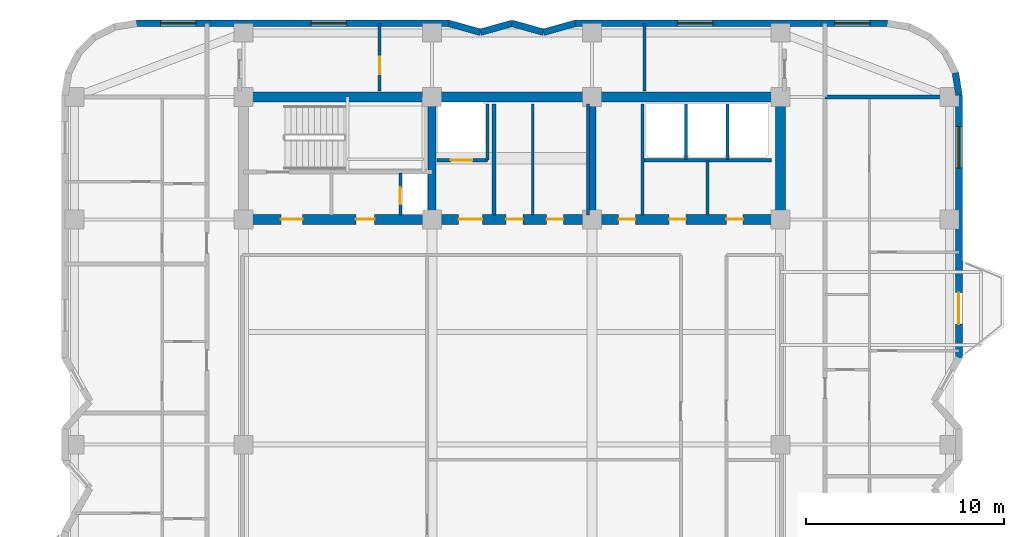
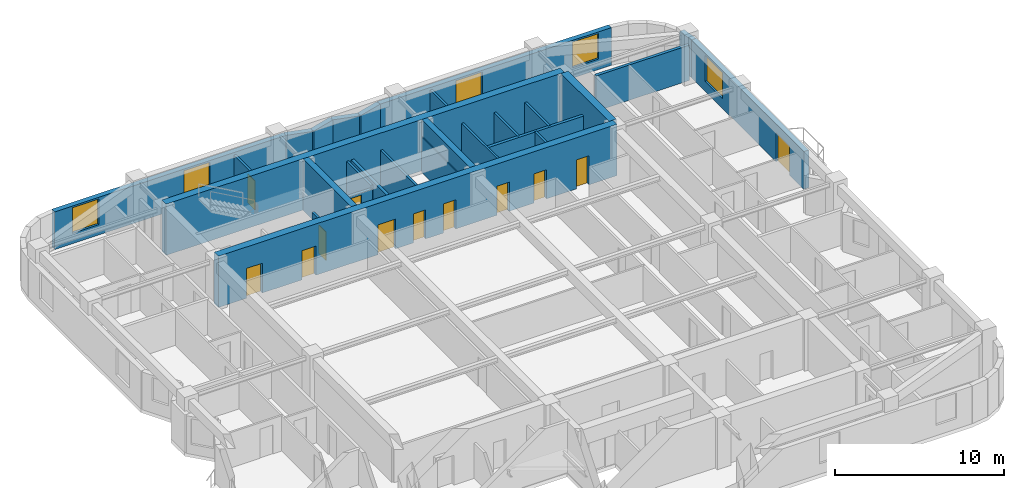
# One storey, part 6 of 9: 27 walls, 12 doors, 5 windows, 17 openings.
"""IFC4 building model written with IfcOpenShell, lengths in metres."""

import ifcopenshell
import ifcopenshell.guid

model = None  # the IFC model being written
_history = None  # IfcOwnerHistory: only IFC2X3 demands one
_inside = {}  # id of a spatial element -> (the spatial element, [elements in it])
_under = {}  # id of a project, library or spatial element -> (it, [spatial elements below it])
_declared = {}  # id of a project -> (the project, [libraries it declares])
_typed = {}  # id of a type object -> (the type object, [elements of that type])
_made_of = {}  # id of a material, layer set ... -> (it, [elements and type objects made of it])


def new_model(schema):
    """Start an empty IFC model of exactly this schema.

    Asked for "IFC4X3", IfcOpenShell would pick the latest addendum, in which some entities
    have other attributes; the version numbers below select the first issue.
    IFC2X3 requires an IfcOwnerHistory on every rooted entity: one is made here for all.
    """
    global model, _history
    if schema == "IFC4X3":
        model = ifcopenshell.file(schema_version=(4, 3, 0, 0))
    else:
        model = ifcopenshell.file(schema=schema)
    _inside.clear()
    _under.clear()
    _declared.clear()
    _typed.clear()
    _made_of.clear()
    _history = None
    if model.schema == "IFC2X3":
        org = make("IfcOrganization", Name="unknown")
        user = make(
            "IfcPersonAndOrganization",
            ThePerson=make("IfcPerson", FamilyName="unknown"),
            TheOrganization=org,
        )
        app = make(
            "IfcApplication",
            ApplicationDeveloper=org,
            Version="unknown",
            ApplicationFullName="unknown",
            ApplicationIdentifier="unknown",
        )
        _history = make(
            "IfcOwnerHistory",
            OwningUser=user,
            OwningApplication=app,
            ChangeAction="ADDED",
            CreationDate=0,
        )
    return model


def make(cls, **values):
    """One entity of the class cls with the attributes given. An attribute that is None is left unset."""
    return model.create_entity(
        cls, **{name: value for name, value in values.items() if value is not None}
    )


def rooted(cls, **values):
    """An entity with a GlobalId (a new one), such as an element, a storey or a relation."""
    return make(cls, GlobalId=ifcopenshell.guid.new(), OwnerHistory=_history, **values)


def si_unit(unit_type, name, prefix=None):
    """IfcSIUnit, for example si_unit("LENGTHUNIT", "METRE", prefix="MILLI")."""
    return make("IfcSIUnit", UnitType=unit_type, Prefix=prefix, Name=name)


def assignment(units):
    """IfcUnitAssignment: the units of a project."""
    return None if units is None else make("IfcUnitAssignment", Units=units)


def point(xyz):
    """IfcCartesianPoint."""
    return None if xyz is None else make("IfcCartesianPoint", Coordinates=xyz)


def direction(xyz):
    """IfcDirection."""
    return None if xyz is None else make("IfcDirection", DirectionRatios=xyz)


def frame(location, z_axis=None, x_axis=None):
    """IfcAxis2Placement3D, a coordinate frame: its origin and axes. An axis left out is left unset."""
    return make(
        "IfcAxis2Placement3D",
        Location=point(location),
        Axis=direction(z_axis),
        RefDirection=direction(x_axis),
    )


def frame_2d(location, x_axis=None):
    """IfcAxis2Placement2D, a coordinate frame in the plane: its origin and x axis."""
    return make(
        "IfcAxis2Placement2D", Location=point(location), RefDirection=direction(x_axis)
    )


def origin():
    """The frame at (0, 0, 0) with its axes left unset."""
    return frame((0.0, 0.0, 0.0))


def place(relative_to, where):
    """IfcLocalPlacement: puts the frame where relative to a parent placement (None: the world)."""
    return make(
        "IfcLocalPlacement", PlacementRelTo=relative_to, RelativePlacement=where
    )


def context(
    kind, dimensions, precision=None, world=None, true_north=None, identifier=None
):
    """IfcGeometricRepresentationContext, for example the 3D "Model" context."""
    return make(
        "IfcGeometricRepresentationContext",
        ContextIdentifier=identifier,
        ContextType=kind,
        CoordinateSpaceDimension=dimensions,
        Precision=precision,
        WorldCoordinateSystem=world,
        TrueNorth=true_north,
    )


def subcontext(parent, identifier, kind, view, scale=None):
    """IfcGeometricRepresentationSubContext, for example "Body" below "Model"."""
    return make(
        "IfcGeometricRepresentationSubContext",
        ContextIdentifier=identifier,
        ContextType=kind,
        ParentContext=parent,
        TargetScale=scale,
        TargetView=view,
    )


def project(units=None, contexts=None):
    """IfcProject with its units and contexts."""
    return rooted(
        "IfcProject",
        Name="project",
        RepresentationContexts=contexts,
        UnitsInContext=assignment(units),
    )


def spatial(cls, under=None, at=None, **own):
    """A site, building, storey or space (cls), placed at a placement, below another one or the project."""
    s = rooted(cls, ObjectPlacement=at, **own)
    if under is not None:
        _under.setdefault(under.id(), (under, []))[1].append(s)
    return s


def profile(cls, at=None, kind="AREA", **sizes):
    """A parametric profile (cls). Its sizes go by their IFC names, for example OverallWidth=200.0."""
    return make(cls, ProfileType=kind, Position=at, **sizes)


def rectangle(**sizes):
    """IfcRectangleProfileDef."""
    return profile("IfcRectangleProfileDef", **sizes)


def extrude(swept, where, along, depth):
    """IfcExtrudedAreaSolid: the profile swept, set in the frame where, extruded along a direction by depth."""
    return make(
        "IfcExtrudedAreaSolid",
        SweptArea=swept,
        Position=where,
        ExtrudedDirection=direction(along),
        Depth=depth,
    )


def shape(context_of_items, identifier, shape_type, items):
    """IfcShapeRepresentation: the items that make up one representation, for example the "Body"."""
    return make(
        "IfcShapeRepresentation",
        ContextOfItems=context_of_items,
        RepresentationIdentifier=identifier,
        RepresentationType=shape_type,
        Items=items,
    )


def material(Name=None, Category=None):
    """IfcMaterial."""
    return make("IfcMaterial", Name=Name, Category=Category)


def layer(
    of_material, thickness, ventilated=None, Name=None, Category=None, Priority=None
):
    """IfcMaterialLayer: one layer of a wall or slab, of a material (None: an air gap)."""
    return make(
        "IfcMaterialLayer",
        Material=of_material,
        LayerThickness=thickness,
        IsVentilated=ventilated,
        Name=Name,
        Category=Category,
        Priority=Priority,
    )


def layer_set(layers, Name=None):
    """IfcMaterialLayerSet."""
    return make("IfcMaterialLayerSet", MaterialLayers=layers, LayerSetName=Name)


def made_of(thing, what):
    """Note that an element or type object is made of a material, layer set ...; save() writes the relation."""
    if what is not None:
        _made_of.setdefault(what.id(), (what, []))[1].append(thing)
    return thing


def type_object(cls, material=None, **own):
    """A type object (cls), such as IfcWallType, which elements share."""
    return made_of(rooted(cls, **own), material)


def element(
    cls,
    number,
    at=None,
    inside=None,
    cuts=None,
    type_object=None,
    material=None,
    context=None,
    identifier="Body",
    shape_type=None,
    held_by="IfcProductDefinitionShape",
    body=None,
    shapes=None,
    **own,
):
    """One element of the class cls, such as IfcWall. Its Tag is "e" and its number.

    at: its placement. inside: the storey or other place that contains it. cuts: it is an
    opening in that element (IfcRelVoidsElement). A single representation is given by context,
    identifier, shape_type and body (its items); several are given by shapes. held_by: the class
    of the entity that holds the representations. save() writes the other relations.
    """
    e = rooted(cls, Tag="e%d" % number, ObjectPlacement=at, **own)
    if body is not None:
        shapes = [shape(context, identifier, shape_type, body)]
    if shapes is not None:
        e.Representation = make(held_by, Representations=shapes)
    if inside is not None:
        _inside.setdefault(inside.id(), (inside, []))[1].append(e)
    if cuts is not None:
        rooted(
            "IfcRelVoidsElement", RelatingBuildingElement=cuts, RelatedOpeningElement=e
        )
    if type_object is not None:
        _typed.setdefault(type_object.id(), (type_object, []))[1].append(e)
    return made_of(e, material)


def fill(opening, filler):
    """IfcRelFillsElement: the door or window that sits in an opening."""
    return rooted(
        "IfcRelFillsElement",
        RelatingOpeningElement=opening,
        RelatedBuildingElement=filler,
    )


def aggregate(whole, parts):
    """IfcRelAggregates: a whole, such as a stair, and the parts it consists of."""
    return rooted("IfcRelAggregates", RelatingObject=whole, RelatedObjects=parts)


def save(model, path):
    """Write the relations noted so far, then the file.

    IfcRelAggregates (storeys below a building ...), IfcRelContainedInSpatialStructure (elements
    in a storey), IfcRelDefinesByType, IfcRelAssociatesMaterial and IfcRelDeclares: one each for
    every whole, place, type object, material and project.
    """
    for whole, parts in _under.values():
        aggregate(whole, parts)
    for where, things in _inside.values():
        rooted(
            "IfcRelContainedInSpatialStructure",
            RelatedElements=things,
            RelatingStructure=where,
        )
    for kind, things in _typed.values():
        rooted("IfcRelDefinesByType", RelatedObjects=things, RelatingType=kind)
    for what, things in _made_of.values():
        rooted("IfcRelAssociatesMaterial", RelatedObjects=things, RelatingMaterial=what)
    for by, libraries in _declared.values():
        rooted("IfcRelDeclares", RelatingContext=by, RelatedDefinitions=libraries)
    model.write(path)


model = new_model("IFC4")

# Units and contexts
model_context = context("Model", 3, precision=1e-05, world=origin(), true_north=direction((0.0, 1.0)))
body_context = subcontext(model_context, "Body", "Model", "MODEL_VIEW")
ifc_project = project(units=[si_unit("LENGTHUNIT", "METRE"), si_unit("AREAUNIT", "SQUARE_METRE"), si_unit("VOLUMEUNIT", "CUBIC_METRE"), si_unit("PLANEANGLEUNIT", "RADIAN"), si_unit("MASSUNIT", "GRAM", prefix="KILO")], contexts=[model_context])

# Site, building, storey
site_placement = place(None, origin())
site = spatial("IfcSite", under=ifc_project, at=site_placement, CompositionType="ELEMENT")
building_placement = place(site_placement, origin())
building = spatial("IfcBuilding", under=site, at=building_placement, Name="Svetorya Sky Lyceum", CompositionType="ELEMENT")
storey_placement = place(building_placement, frame((0.0, 0.0, 170.0)))
storey = spatial("IfcBuildingStorey", under=building, at=storey_placement, Name="L42", CompositionType="ELEMENT", Elevation=170.0)

# Walls
ifc_material_1 = material(Name="Concrete C40/50", Category="concrete")
ifc_layer_1 = layer(ifc_material_1, 0.39990234375)
ifc_layer_set_1 = layer_set([ifc_layer_1], Name="Concrete C40/50")
wall_type_1 = type_object("IfcWallType", Name="WL-CORE-400", PredefinedType="SHEAR", material=ifc_layer_set_1)
for number, where, z_axis, x_axis, name in (
    (1, (35.14990234375, 39.85009765625, 0.0), (0.0, 0.0, 1.0), (0.0, 1.0, 0.0), "L42 NC Internal Shear Web WEB1"),
    (2, (43.25, 39.85009765625, 0.0), (0.0, 0.0, 1.0), (0.0, 1.0, 0.0), "L42 NC Internal Shear Web WEB2"),
):
    element("IfcWall", number, at=place(storey_placement, frame(where, z_axis=z_axis, x_axis=x_axis)), inside=storey, type_object=wall_type_1, Name=name, PredefinedType="SHEAR", context=body_context, shape_type="SweptSolid", body=[
        extrude(rectangle(XDim=5.699951171875, YDim=0.39990234375, at=frame_2d((2.85009765625, 0.0))), origin(), (0.0, 0.0, 1.0), 3.699951171875),
    ])
ifc_material_2 = material(Name="Concrete C50/60", Category="concrete")
ifc_layer_2 = layer(ifc_material_2, 0.5)
ifc_layer_set_2 = layer_set([ifc_layer_2], Name="Concrete C50/60")
wall_type_2 = type_object("IfcWallType", Name="WL-CORE-500", PredefinedType="SHEAR", material=ifc_layer_set_2)
wall_1_placement = place(storey_placement, frame((25.60009765625, 45.800048828125, 0.0), z_axis=(0.0, 0.0, 1.0), x_axis=(1.0, 0.0, 0.0)))
element("IfcWall", 3, at=wall_1_placement, inside=storey, type_object=wall_type_2, Name="L42 NC Outer Core Shear Wall", PredefinedType="SHEAR", context=body_context, shape_type="SweptSolid", body=[
    extrude(rectangle(XDim=27.199951171875, YDim=0.5, at=frame_2d((13.60009765625, 0.0))), origin(), (0.0, 0.0, 1.0), 3.699951171875),
])
wall_2_placement = place(storey_placement, frame((52.800048828125, 39.85009765625, 0.0), z_axis=(0.0, 0.0, 1.0), x_axis=(0.0, 1.0, 0.0)))
element("IfcWall", 4, at=wall_2_placement, inside=storey, type_object=wall_type_2, Name="L42 NC East Core Shear Wall", PredefinedType="SHEAR", context=body_context, shape_type="SweptSolid", body=[
    extrude(rectangle(XDim=5.699951171875, YDim=0.5, at=frame_2d((2.85009765625, 0.0))), origin(), (0.0, 0.0, 1.0), 3.699951171875),
])

# Wall, openings, doors
wall_3_placement = place(storey_placement, frame((52.800048828125, 39.60009765625, 0.0), z_axis=(0.0, 0.0, 1.0), x_axis=(-1.0, 0.0, 0.0)))
wall_3 = element("IfcWall", 5, at=wall_3_placement, inside=storey, type_object=wall_type_2, Name="L42 NC Inner Core Shear Wall", PredefinedType="SHEAR", context=body_context, shape_type="SweptSolid", body=[
    extrude(rectangle(XDim=27.199951171875, YDim=0.5, at=frame_2d((13.60009765625, 0.0))), origin(), (0.0, 0.0, 1.0), 3.699951171875),
])
opening_1_placement = place(wall_3_placement, frame((24.199951171875, 0.0, 0.0)))
opening_1 = element("IfcOpeningElement", 6, at=opening_1_placement, cuts=wall_3, Name="Opening D-ST1", PredefinedType="OPENING", context=body_context, shape_type="SweptSolid", body=[
    extrude(rectangle(XDim=1.10009765625, YDim=2.14990234375, at=frame_2d((0.550048828125, 1.074951171875))), frame((0.0, 0.260009765625, 0.0), z_axis=(0.0, -1.0, 0.0), x_axis=(1.0, 0.0, 0.0)), (0.0, 0.0, 1.0), 0.52001953125),
])
opening_2_placement = place(wall_3_placement, frame((20.550048828125, 0.0, 0.0)))
opening_2 = element("IfcOpeningElement", 7, at=opening_2_placement, cuts=wall_3, Name="Opening D-CAC1", PredefinedType="OPENING", context=body_context, shape_type="SweptSolid", body=[
    extrude(rectangle(XDim=0.949951171875, YDim=2.10009765625, at=frame_2d((0.47509765625, 1.050048828125))), frame((0.0, 0.260009765625, 0.0), z_axis=(0.0, -1.0, 0.0), x_axis=(1.0, 0.0, 0.0)), (0.0, 0.0, 1.0), 0.52001953125),
])
opening_3_placement = place(wall_3_placement, frame((15.10009765625, 0.0, 0.0)))
opening_3 = element("IfcOpeningElement", 8, at=opening_3_placement, cuts=wall_3, Name="Opening D-FL1", PredefinedType="OPENING", context=body_context, shape_type="SweptSolid", body=[
    extrude(rectangle(XDim=1.199951171875, YDim=2.14990234375, at=frame_2d((0.60009765625, 1.074951171875))), frame((0.0, 0.260009765625, 0.0), z_axis=(0.0, -1.0, 0.0), x_axis=(1.0, 0.0, 0.0)), (0.0, 0.0, 1.0), 0.52001953125),
])
opening_4_placement = place(wall_3_placement, frame((13.050048828125, 0.0, 0.0)))
opening_4 = element("IfcOpeningElement", 9, at=opening_4_placement, cuts=wall_3, Name="Opening D-CWC1", PredefinedType="OPENING", context=body_context, shape_type="SweptSolid", body=[
    extrude(rectangle(XDim=0.85009765625, YDim=2.10009765625, at=frame_2d((0.425048828125, 1.050048828125))), frame((0.0, 0.260009765625, 0.0), z_axis=(0.0, -1.0, 0.0), x_axis=(1.0, 0.0, 0.0)), (0.0, 0.0, 1.0), 0.52001953125),
])
opening_5_placement = place(wall_3_placement, frame((11.0, 0.0, 0.0)))
opening_5 = element("IfcOpeningElement", 10, at=opening_5_placement, cuts=wall_3, Name="Opening D-CWC1", PredefinedType="OPENING", context=body_context, shape_type="SweptSolid", body=[
    extrude(rectangle(XDim=0.85009765625, YDim=2.10009765625, at=frame_2d((0.425048828125, 1.050048828125))), frame((0.0, 0.260009765625, 0.0), z_axis=(0.0, -1.0, 0.0), x_axis=(1.0, 0.0, 0.0)), (0.0, 0.0, 1.0), 0.52001953125),
])
opening_6_placement = place(wall_3_placement, frame((7.35009765625, 0.0, 0.0)))
opening_6 = element("IfcOpeningElement", 11, at=opening_6_placement, cuts=wall_3, Name="Opening D-CWC1", PredefinedType="OPENING", context=body_context, shape_type="SweptSolid", body=[
    extrude(rectangle(XDim=0.85009765625, YDim=2.10009765625, at=frame_2d((0.425048828125, 1.050048828125))), frame((0.0, 0.260009765625, 0.0), z_axis=(0.0, -1.0, 0.0), x_axis=(1.0, 0.0, 0.0)), (0.0, 0.0, 1.0), 0.52001953125),
])
opening_7_placement = place(wall_3_placement, frame((4.800048828125, 0.0, 0.0)))
opening_7 = element("IfcOpeningElement", 12, at=opening_7_placement, cuts=wall_3, Name="Opening D-CWC1", PredefinedType="OPENING", context=body_context, shape_type="SweptSolid", body=[
    extrude(rectangle(XDim=0.85009765625, YDim=2.10009765625, at=frame_2d((0.425048828125, 1.050048828125))), frame((0.0, 0.260009765625, 0.0), z_axis=(0.0, -1.0, 0.0), x_axis=(1.0, 0.0, 0.0)), (0.0, 0.0, 1.0), 0.52001953125),
])
opening_8_placement = place(wall_3_placement, frame((1.89990234375, 0.0, 0.0)))
opening_8 = element("IfcOpeningElement", 13, at=opening_8_placement, cuts=wall_3, Name="Opening D-CWC1", PredefinedType="OPENING", context=body_context, shape_type="SweptSolid", body=[
    extrude(rectangle(XDim=0.85009765625, YDim=2.10009765625, at=frame_2d((0.425048828125, 1.050048828125))), frame((0.0, 0.260009765625, 0.0), z_axis=(0.0, -1.0, 0.0), x_axis=(1.0, 0.0, 0.0)), (0.0, 0.0, 1.0), 0.52001953125),
])
ifc_material_3 = material(Name="Fire-rated galvanized steel core accessible WC door", Category="steel")
door_type_1 = type_object("IfcDoorType", Name="DR-CACC-950", OperationType="SINGLE_SWING_LEFT", PredefinedType="DOOR", material=ifc_material_3)
door_1_placement = place(opening_2_placement, origin())
door_1 = element("IfcDoor", 14, at=door_1_placement, inside=storey, type_object=door_type_1, Name="L42 North Core Accessible WC Door", OperationType="SINGLE_SWING_RIGHT", OverallHeight=2.10009765625, OverallWidth=0.949951171875, PredefinedType="DOOR", context=body_context, shape_type="SweptSolid", body=[
    extrude(rectangle(XDim=0.949951171875, YDim=2.10009765625, at=frame_2d((0.47509765625, 1.050048828125))), frame((0.0, 0.02490234375, 0.0), z_axis=(0.0, -1.0, 0.0), x_axis=(1.0, 0.0, 0.0)), (0.0, 0.0, 1.0), 0.050048828125),
])
fill(opening_2, door_1)
ifc_material_4 = material(Name="Fire-rated galvanized steel core service closet door", Category="steel")
door_type_2 = type_object("IfcDoorType", Name="DR-CWET-850", OperationType="SINGLE_SWING_LEFT", PredefinedType="DOOR", material=ifc_material_4)
door_2_placement = place(opening_4_placement, origin())
door_2 = element("IfcDoor", 15, at=door_2_placement, inside=storey, type_object=door_type_2, Name="L42 Upper Linen Door", OperationType="SINGLE_SWING_LEFT", OverallHeight=2.10009765625, OverallWidth=0.85009765625, PredefinedType="DOOR", context=body_context, shape_type="SweptSolid", body=[
    extrude(rectangle(XDim=0.85009765625, YDim=2.10009765625, at=frame_2d((0.425048828125, 1.050048828125))), frame((0.0, 0.02490234375, 0.0), z_axis=(0.0, -1.0, 0.0), x_axis=(1.0, 0.0, 0.0)), (0.0, 0.0, 1.0), 0.050048828125),
])
fill(opening_4, door_2)
door_3_placement = place(opening_5_placement, origin())
door_3 = element("IfcDoor", 16, at=door_3_placement, inside=storey, type_object=door_type_2, Name="L42 Upper Laundry Door", OperationType="SINGLE_SWING_RIGHT", OverallHeight=2.10009765625, OverallWidth=0.85009765625, PredefinedType="DOOR", context=body_context, shape_type="SweptSolid", body=[
    extrude(rectangle(XDim=0.85009765625, YDim=2.10009765625, at=frame_2d((0.425048828125, 1.050048828125))), frame((0.0, 0.02490234375, 0.0), z_axis=(0.0, -1.0, 0.0), x_axis=(1.0, 0.0, 0.0)), (0.0, 0.0, 1.0), 0.050048828125),
])
fill(opening_5, door_3)
door_4_placement = place(opening_6_placement, origin())
door_4 = element("IfcDoor", 17, at=door_4_placement, inside=storey, type_object=door_type_2, Name="L42 High-Zone Utility Room Door", OperationType="SINGLE_SWING_LEFT", OverallHeight=2.10009765625, OverallWidth=0.85009765625, PredefinedType="DOOR", context=body_context, shape_type="SweptSolid", body=[
    extrude(rectangle(XDim=0.85009765625, YDim=2.10009765625, at=frame_2d((0.425048828125, 1.050048828125))), frame((0.0, 0.02490234375, 0.0), z_axis=(0.0, -1.0, 0.0), x_axis=(1.0, 0.0, 0.0)), (0.0, 0.0, 1.0), 0.050048828125),
])
fill(opening_6, door_4)
door_5_placement = place(opening_7_placement, origin())
door_5 = element("IfcDoor", 18, at=door_5_placement, inside=storey, type_object=door_type_2, Name="L42 North Pantry Door", OperationType="SINGLE_SWING_LEFT", OverallHeight=2.10009765625, OverallWidth=0.85009765625, PredefinedType="DOOR", context=body_context, shape_type="SweptSolid", body=[
    extrude(rectangle(XDim=0.85009765625, YDim=2.10009765625, at=frame_2d((0.425048828125, 1.050048828125))), frame((0.0, 0.02490234375, 0.0), z_axis=(0.0, -1.0, 0.0), x_axis=(1.0, 0.0, 0.0)), (0.0, 0.0, 1.0), 0.050048828125),
])
fill(opening_7, door_5)
door_6_placement = place(opening_8_placement, origin())
door_6 = element("IfcDoor", 19, at=door_6_placement, inside=storey, type_object=door_type_2, Name="L42 North Laundry Door", OperationType="SINGLE_SWING_RIGHT", OverallHeight=2.10009765625, OverallWidth=0.85009765625, PredefinedType="DOOR", context=body_context, shape_type="SweptSolid", body=[
    extrude(rectangle(XDim=0.85009765625, YDim=2.10009765625, at=frame_2d((0.425048828125, 1.050048828125))), frame((0.0, 0.02490234375, 0.0), z_axis=(0.0, -1.0, 0.0), x_axis=(1.0, 0.0, 0.0)), (0.0, 0.0, 1.0), 0.050048828125),
])
fill(opening_8, door_6)
ifc_material_5 = material(Name="Powder-coated insulated galvanized stair fire door")
door_type_3 = type_object("IfcDoorType", Name="DR-FIRE-1100", OperationType="SINGLE_SWING_LEFT", PredefinedType="DOOR", material=ifc_material_5)
door_7_placement = place(opening_1_placement, origin())
door_7 = element("IfcDoor", 20, at=door_7_placement, inside=storey, type_object=door_type_3, Name="L42 North Stair Airlock Door", OperationType="SINGLE_SWING_LEFT", OverallHeight=2.14990234375, OverallWidth=1.10009765625, PredefinedType="DOOR", context=body_context, shape_type="SweptSolid", body=[
    extrude(rectangle(XDim=1.10009765625, YDim=2.14990234375, at=frame_2d((0.550048828125, 1.074951171875))), frame((0.0, 0.02490234375, 0.0), z_axis=(0.0, -1.0, 0.0), x_axis=(1.0, 0.0, 0.0)), (0.0, 0.0, 1.0), 0.050048828125),
])
fill(opening_1, door_7)
ifc_material_6 = material(Name="Powder-coated insulated galvanized fire door")
door_type_4 = type_object("IfcDoorType", Name="DR-FIRE-1200", OperationType="SINGLE_SWING_LEFT", PredefinedType="DOOR", material=ifc_material_6)
door_8_placement = place(opening_3_placement, origin())
door_8 = element("IfcDoor", 21, at=door_8_placement, inside=storey, type_object=door_type_4, Name="L42 North Firefighting Lift Lobby Door", OperationType="SINGLE_SWING_RIGHT", OverallHeight=2.14990234375, OverallWidth=1.199951171875, PredefinedType="DOOR", context=body_context, shape_type="SweptSolid", body=[
    extrude(rectangle(XDim=1.199951171875, YDim=2.14990234375, at=frame_2d((0.60009765625, 1.074951171875))), frame((0.0, 0.02490234375, 0.0), z_axis=(0.0, -1.0, 0.0), x_axis=(1.0, 0.0, 0.0)), (0.0, 0.0, 1.0), 0.050048828125),
])
fill(opening_3, door_8)

# Wall, openings, door, window
ifc_material_7 = material(Name="Putilovo limestone rainscreen on autoclaved cellular masonry", Category="masonry")
ifc_layer_3 = layer(ifc_material_7, 0.340087890625)
ifc_layer_set_3 = layer_set([ifc_layer_3], Name="Putilovo limestone rainscreen on autoclaved cellular masonry")
wall_type_3 = type_object("IfcWallType", Name="WL-EXT-340", PredefinedType="SOLIDWALL", material=ifc_layer_set_3)
wall_4_placement = place(storey_placement, frame((61.830078125, 32.60009765625, 0.0), z_axis=(0.0, 0.0, 1.0), x_axis=(0.0, 1.0, 0.0)))
wall_4 = element("IfcWall", 22, at=wall_4_placement, inside=storey, type_object=wall_type_3, Name="L42 Limestone Exterior Wall 23M", PredefinedType="SOLIDWALL", context=body_context, shape_type="SweptSolid", body=[
    extrude(rectangle(XDim=13.2998046875, YDim=0.340087890625, at=frame_2d((6.64990234375, 0.0))), origin(), (0.0, 0.0, 1.0), 2.719970703125),
])
opening_9_placement = place(wall_4_placement, frame((1.699951171875, 0.0, 0.0)))
opening_9 = element("IfcOpeningElement", 23, at=opening_9_placement, cuts=wall_4, Name="Opening D-BL1", PredefinedType="OPENING", context=body_context, shape_type="SweptSolid", body=[
    extrude(rectangle(XDim=1.60009765625, YDim=2.10009765625, at=frame_2d((0.800048828125, 1.050048828125))), frame((0.0, 0.179931640625, 0.0), z_axis=(0.0, -1.0, 0.0), x_axis=(1.0, 0.0, 0.0)), (0.0, 0.0, 1.0), 0.360107421875),
])
opening_10_placement = place(wall_4_placement, frame((9.60009765625, 0.0, 0.699951171875)))
opening_10 = element("IfcOpeningElement", 24, at=opening_10_placement, cuts=wall_4, Name="Opening W-R0", PredefinedType="OPENING", context=body_context, shape_type="SweptSolid", body=[
    extrude(rectangle(XDim=2.10009765625, YDim=1.89990234375, at=frame_2d((1.050048828125, 0.949951171875))), frame((0.0, 0.179931640625, 0.0), z_axis=(0.0, -1.0, 0.0), x_axis=(1.0, 0.0, 0.0)), (0.0, 0.0, 1.0), 0.360107421875),
])
ifc_material_8 = material(Name="Insulated glazed aluminium balcony door", Category="aluminium")
door_type_5 = type_object("IfcDoorType", Name="DR-BAL-1600", OperationType="DOUBLE_DOOR_SINGLE_SWING", PredefinedType="DOOR", material=ifc_material_8)
door_9_placement = place(opening_9_placement, origin())
door_9 = element("IfcDoor", 25, at=door_9_placement, inside=storey, type_object=door_type_5, Name="L42 Balcony BAL-E1 Door", OperationType="DOUBLE_DOOR_SINGLE_SWING", OverallHeight=2.10009765625, OverallWidth=1.60009765625, PredefinedType="DOOR", context=body_context, shape_type="SweptSolid", body=[
    extrude(rectangle(XDim=1.60009765625, YDim=2.10009765625, at=frame_2d((0.800048828125, 1.050048828125))), frame((0.0, 0.02490234375, 0.0), z_axis=(0.0, -1.0, 0.0), x_axis=(1.0, 0.0, 0.0)), (0.0, 0.0, 1.0), 0.050048828125),
])
fill(opening_9, door_9)
ifc_material_9 = material(Name="Thermally broken aluminium frame with triple low-E glazing", Category="aluminium")
window_type_1 = type_object("IfcWindowType", Name="WN-RES-210", PartitioningType="TRIPLE_PANEL_VERTICAL", PredefinedType="WINDOW", material=ifc_material_9)
window_1_placement = place(opening_10_placement, origin())
window_1 = element("IfcWindow", 26, at=window_1_placement, inside=storey, type_object=window_type_1, Name="L42 Facade Window W-R0.23M.1", OverallHeight=1.89990234375, OverallWidth=2.10009765625, PartitioningType="SINGLE_PANEL", PredefinedType="WINDOW", context=body_context, shape_type="SweptSolid", body=[
    extrude(rectangle(XDim=2.10009765625, YDim=1.89990234375, at=frame_2d((1.050048828125, 0.949951171875))), frame((0.0, 0.030029296875, 0.0), z_axis=(0.0, -1.0, 0.0), x_axis=(1.0, 0.0, 0.0)), (0.0, 0.0, 1.0), 0.06005859375),
])
fill(opening_10, window_1)

# Wall
wall_5_placement = place(storey_placement, frame((61.830078125, 45.89990234375, 0.0), z_axis=(0.0, 0.0, 1.0), x_axis=(-0.156481329164, 0.987680916907, 0.0)))
element("IfcWall", 27, at=wall_5_placement, inside=storey, type_object=wall_type_3, Name="L42 Limestone Exterior Wall 24M", PredefinedType="SOLIDWALL", context=body_context, shape_type="SweptSolid", body=[
    extrude(rectangle(XDim=1.1357421875, YDim=0.340087890625, at=frame_2d((0.56787109375, 0.0))), origin(), (0.0, 0.0, 1.0), 2.719970703125),
])

# Wall, openings, windows
wall_6_placement = place(storey_placement, frame((58.199951171875, 49.530029296875, 0.0), z_axis=(0.0, 0.0, 1.0), x_axis=(-1.0, 0.0, 0.0)))
wall_6 = element("IfcWall", 28, at=wall_6_placement, inside=storey, type_object=wall_type_3, Name="L42 Limestone Exterior Wall 29M", PredefinedType="SOLIDWALL", context=body_context, shape_type="SweptSolid", body=[
    extrude(rectangle(XDim=15.800048828125, YDim=0.340087890625, at=frame_2d((7.89990234375, 0.0))), origin(), (0.0, 0.0, 1.0), 2.719970703125),
])
opening_11_placement = place(wall_6_placement, frame((0.862548828125, 0.0, 0.75)))
opening_11 = element("IfcOpeningElement", 29, at=opening_11_placement, cuts=wall_6, Name="Opening W-R1", PredefinedType="OPENING", context=body_context, shape_type="SweptSolid", body=[
    extrude(rectangle(XDim=1.800048828125, YDim=1.85009765625, at=frame_2d((0.89990234375, 0.925048828125))), frame((0.0, 0.179931640625, 0.0), z_axis=(0.0, -1.0, 0.0), x_axis=(1.0, 0.0, 0.0)), (0.0, 0.0, 1.0), 0.360107421875),
])
opening_12_placement = place(wall_6_placement, frame((8.8125, 0.0, 0.75)))
opening_12 = element("IfcOpeningElement", 30, at=opening_12_placement, cuts=wall_6, Name="Opening W-R1", PredefinedType="OPENING", context=body_context, shape_type="SweptSolid", body=[
    extrude(rectangle(XDim=1.800048828125, YDim=1.85009765625, at=frame_2d((0.89990234375, 0.925048828125))), frame((0.0, 0.179931640625, 0.0), z_axis=(0.0, -1.0, 0.0), x_axis=(1.0, 0.0, 0.0)), (0.0, 0.0, 1.0), 0.360107421875),
])
window_type_2 = type_object("IfcWindowType", Name="WN-RES-180", PartitioningType="DOUBLE_PANEL_VERTICAL", PredefinedType="WINDOW", material=ifc_material_9)
window_2_placement = place(opening_11_placement, origin())
window_2 = element("IfcWindow", 31, at=window_2_placement, inside=storey, type_object=window_type_2, Name="L42 Facade Window W-R1.29M.1", OverallHeight=1.85009765625, OverallWidth=1.800048828125, PartitioningType="SINGLE_PANEL", PredefinedType="WINDOW", context=body_context, shape_type="SweptSolid", body=[
    extrude(rectangle(XDim=1.800048828125, YDim=1.85009765625, at=frame_2d((0.89990234375, 0.925048828125))), frame((0.0, 0.030029296875, 0.0), z_axis=(0.0, -1.0, 0.0), x_axis=(1.0, 0.0, 0.0)), (0.0, 0.0, 1.0), 0.06005859375),
])
fill(opening_11, window_2)
window_3_placement = place(opening_12_placement, origin())
window_3 = element("IfcWindow", 32, at=window_3_placement, inside=storey, type_object=window_type_2, Name="L42 Facade Window W-R1.29M.2", OverallHeight=1.85009765625, OverallWidth=1.800048828125, PartitioningType="SINGLE_PANEL", PredefinedType="WINDOW", context=body_context, shape_type="SweptSolid", body=[
    extrude(rectangle(XDim=1.800048828125, YDim=1.85009765625, at=frame_2d((0.89990234375, 0.925048828125))), frame((0.0, 0.030029296875, 0.0), z_axis=(0.0, -1.0, 0.0), x_axis=(1.0, 0.0, 0.0)), (0.0, 0.0, 1.0), 0.06005859375),
])
fill(opening_12, window_3)

# Walls
wall_7_placement = place(storey_placement, frame((42.39990234375, 49.530029296875, 0.0), z_axis=(0.0, 0.0, 1.0), x_axis=(-0.962652136636, -0.270741322725, 0.0)))
element("IfcWall", 33, at=wall_7_placement, inside=storey, type_object=wall_type_3, Name="L42 Limestone Exterior Wall 30M", PredefinedType="SOLIDWALL", context=body_context, shape_type="SweptSolid", body=[
    extrude(rectangle(XDim=1.661865234375, YDim=0.340087890625, at=frame_2d((0.8310546875, 0.0))), origin(), (0.0, 0.0, 1.0), 2.719970703125),
])
wall_8_placement = place(storey_placement, frame((40.800048828125, 49.080078125, 0.0), z_axis=(0.0, 0.0, 1.0), x_axis=(-0.962662902433, 0.270703040766, 0.0)))
element("IfcWall", 34, at=wall_8_placement, inside=storey, type_object=wall_type_3, Name="L42 Limestone Exterior Wall 31M", PredefinedType="SOLIDWALL", context=body_context, shape_type="SweptSolid", body=[
    extrude(rectangle(XDim=1.662109375, YDim=0.340087890625, at=frame_2d((0.8310546875, 0.0))), origin(), (0.0, 0.0, 1.0), 2.719970703125),
])
wall_9_placement = place(storey_placement, frame((39.199951171875, 49.530029296875, 0.0), z_axis=(0.0, 0.0, 1.0), x_axis=(-0.962652136636, -0.270741322725, 0.0)))
element("IfcWall", 35, at=wall_9_placement, inside=storey, type_object=wall_type_3, Name="L42 Limestone Exterior Wall 32M", PredefinedType="SOLIDWALL", context=body_context, shape_type="SweptSolid", body=[
    extrude(rectangle(XDim=1.661865234375, YDim=0.340087890625, at=frame_2d((0.8310546875, 0.0))), origin(), (0.0, 0.0, 1.0), 2.719970703125),
])
wall_10_placement = place(storey_placement, frame((37.60009765625, 49.080078125, 0.0), z_axis=(0.0, 0.0, 1.0), x_axis=(-0.962662902433, 0.270703040766, 0.0)))
element("IfcWall", 36, at=wall_10_placement, inside=storey, type_object=wall_type_3, Name="L42 Limestone Exterior Wall 33M", PredefinedType="SOLIDWALL", context=body_context, shape_type="SweptSolid", body=[
    extrude(rectangle(XDim=1.662109375, YDim=0.340087890625, at=frame_2d((0.8310546875, 0.0))), origin(), (0.0, 0.0, 1.0), 2.719970703125),
])

# Wall, openings, windows
wall_11_placement = place(storey_placement, frame((36.0, 49.530029296875, 0.0), z_axis=(0.0, 0.0, 1.0), x_axis=(-1.0, 0.0, 0.0)))
wall_11 = element("IfcWall", 37, at=wall_11_placement, inside=storey, type_object=wall_type_3, Name="L42 Limestone Exterior Wall 34M", PredefinedType="SOLIDWALL", context=body_context, shape_type="SweptSolid", body=[
    extrude(rectangle(XDim=15.800048828125, YDim=0.340087890625, at=frame_2d((7.89990234375, 0.0))), origin(), (0.0, 0.0, 1.0), 2.719970703125),
])
opening_13_placement = place(wall_11_placement, frame((5.1875, 0.0, 0.75)))
opening_13 = element("IfcOpeningElement", 38, at=opening_13_placement, cuts=wall_11, Name="Opening W-R1", PredefinedType="OPENING", context=body_context, shape_type="SweptSolid", body=[
    extrude(rectangle(XDim=1.800048828125, YDim=1.85009765625, at=frame_2d((0.89990234375, 0.925048828125))), frame((0.0, 0.179931640625, 0.0), z_axis=(0.0, -1.0, 0.0), x_axis=(1.0, 0.0, 0.0)), (0.0, 0.0, 1.0), 0.360107421875),
])
opening_14_placement = place(wall_11_placement, frame((12.78759765625, 0.0, 0.75)))
opening_14 = element("IfcOpeningElement", 39, at=opening_14_placement, cuts=wall_11, Name="Opening W-R1", PredefinedType="OPENING", context=body_context, shape_type="SweptSolid", body=[
    extrude(rectangle(XDim=1.800048828125, YDim=1.85009765625, at=frame_2d((0.89990234375, 0.925048828125))), frame((0.0, 0.179931640625, 0.0), z_axis=(0.0, -1.0, 0.0), x_axis=(1.0, 0.0, 0.0)), (0.0, 0.0, 1.0), 0.360107421875),
])
window_4_placement = place(opening_13_placement, origin())
window_4 = element("IfcWindow", 40, at=window_4_placement, inside=storey, type_object=window_type_2, Name="L42 Facade Window W-R1.34M.1", OverallHeight=1.85009765625, OverallWidth=1.800048828125, PartitioningType="SINGLE_PANEL", PredefinedType="WINDOW", context=body_context, shape_type="SweptSolid", body=[
    extrude(rectangle(XDim=1.800048828125, YDim=1.85009765625, at=frame_2d((0.89990234375, 0.925048828125))), frame((0.0, 0.030029296875, 0.0), z_axis=(0.0, -1.0, 0.0), x_axis=(1.0, 0.0, 0.0)), (0.0, 0.0, 1.0), 0.06005859375),
])
fill(opening_13, window_4)
window_5_placement = place(opening_14_placement, origin())
window_5 = element("IfcWindow", 41, at=window_5_placement, inside=storey, type_object=window_type_2, Name="L42 Facade Window W-R1.34M.2", OverallHeight=1.85009765625, OverallWidth=1.800048828125, PartitioningType="SINGLE_PANEL", PredefinedType="WINDOW", context=body_context, shape_type="SweptSolid", body=[
    extrude(rectangle(XDim=1.800048828125, YDim=1.85009765625, at=frame_2d((0.89990234375, 0.925048828125))), frame((0.0, 0.030029296875, 0.0), z_axis=(0.0, -1.0, 0.0), x_axis=(1.0, 0.0, 0.0)), (0.0, 0.0, 1.0), 0.06005859375),
])
fill(opening_14, window_5)

# Wall, opening, door
ifc_material_10 = material(Name="Autoclaved cellular masonry blockwork with acoustic render", Category="masonry")
ifc_layer_4 = layer(ifc_material_10, 0.14990234375)
ifc_layer_set_4 = layer_set([ifc_layer_4], Name="Autoclaved cellular masonry blockwork with acoustic render")
wall_type_4 = type_object("IfcWallType", Name="WL-PART-150", PredefinedType="PARTITIONING", material=ifc_layer_set_4)
wall_12_placement = place(storey_placement, frame((33.550048828125, 39.820068359375, 0.0), z_axis=(0.0, 0.0, 1.0), x_axis=(0.0, 1.0, 0.0)))
wall_12 = element("IfcWall", 42, at=wall_12_placement, inside=storey, type_object=wall_type_4, Name="L42 Interior Partition NC-RSRW", PredefinedType="PARTITIONING", context=body_context, shape_type="SweptSolid", body=[
    extrude(rectangle(XDim=2.1298828125, YDim=0.14990234375, at=frame_2d((1.06494140625, 0.0))), origin(), (0.0, 0.0, 1.0), 2.550048828125),
])
opening_15_placement = place(wall_12_placement, frame((0.550048828125, 0.0, 0.0)))
opening_15 = element("IfcOpeningElement", 43, at=opening_15_placement, cuts=wall_12, Name="Opening D-SH1", PredefinedType="OPENING", context=body_context, shape_type="SweptSolid", body=[
    extrude(rectangle(XDim=0.85009765625, YDim=2.050048828125, at=frame_2d((0.425048828125, 1.02490234375))), frame((0.0, 0.0849609375, 0.0), z_axis=(0.0, -1.0, 0.0), x_axis=(1.0, 0.0, 0.0)), (0.0, 0.0, 1.0), 0.169921875),
])
ifc_material_11 = material(Name="Insulated galvanized riser inspection fire door")
door_type_6 = type_object("IfcDoorType", Name="DR-SHFT-850", OperationType="SINGLE_SWING_LEFT", PredefinedType="TRAPDOOR", material=ifc_material_11)
door_10_placement = place(opening_15_placement, origin())
door_10 = element("IfcDoor", 44, at=door_10_placement, inside=storey, type_object=door_type_6, Name="L42 North Riser Access Door", OperationType="SINGLE_SWING_LEFT", OverallHeight=2.050048828125, OverallWidth=0.85009765625, PredefinedType="TRAPDOOR", context=body_context, shape_type="SweptSolid", body=[
    extrude(rectangle(XDim=0.85009765625, YDim=2.050048828125, at=frame_2d((0.425048828125, 1.02490234375))), frame((0.0, 0.02490234375, 0.0), z_axis=(0.0, -1.0, 0.0), x_axis=(1.0, 0.0, 0.0)), (0.0, 0.0, 1.0), 0.050048828125),
])
fill(opening_15, door_10)

# Walls
wall_13_placement = place(storey_placement, frame((37.949951171875, 42.60009765625, 0.0), z_axis=(0.0, 0.0, 1.0), x_axis=(0.0, 1.0, 0.0)))
element("IfcWall", 45, at=wall_13_placement, inside=storey, type_object=wall_type_4, Name="L42 Interior Partition NC-FL1SIDE", PredefinedType="PARTITIONING", context=body_context, shape_type="SweptSolid", body=[
    extrude(rectangle(XDim=2.849853515625, YDim=0.14990234375, at=frame_2d((1.4248046875, 0.0))), origin(), (0.0, 0.0, 1.0), 2.550048828125),
])
for number, where, z_axis, x_axis, name in (
    (46, (43.050048828125, 39.820068359375, 0.0), (0.0, 0.0, 1.0), (0.0, 1.0, 0.0), "L42 Interior Partition NC-FPM-END"),
    (47, (40.25, 39.820068359375, 0.0), (0.0, 0.0, 1.0), (0.0, 1.0, 0.0), "L42 Interior Partition NC-FPM-V2"),
    (48, (45.800048828125, 39.820068359375, 0.0), (0.0, 0.0, 1.0), (0.0, 1.0, 0.0), "L42 Interior Partition NC-PM3-FULL"),
):
    element("IfcWall", number, at=place(storey_placement, frame(where, z_axis=z_axis, x_axis=x_axis)), inside=storey, type_object=wall_type_4, Name=name, PredefinedType="PARTITIONING", context=body_context, shape_type="SweptSolid", body=[
        extrude(rectangle(XDim=5.6298828125, YDim=0.14990234375, at=frame_2d((2.81494140625, 0.0))), origin(), (0.0, 0.0, 1.0), 2.550048828125),
    ])
for number, where, z_axis, x_axis, name in (
    (49, (48.0, 42.64990234375, 0.0), (0.0, 0.0, 1.0), (0.0, 1.0, 0.0), "L42 Interior Partition NC-PH-D1"),
    (50, (50.10009765625, 42.64990234375, 0.0), (0.0, 0.0, 1.0), (0.0, 1.0, 0.0), "L42 Interior Partition NC-PH-D2"),
):
    element("IfcWall", number, at=place(storey_placement, frame(where, z_axis=z_axis, x_axis=x_axis)), inside=storey, type_object=wall_type_4, Name=name, PredefinedType="PARTITIONING", context=body_context, shape_type="SweptSolid", body=[
        extrude(rectangle(XDim=2.800048828125, YDim=0.14990234375, at=frame_2d((1.39990234375, 0.0))), origin(), (0.0, 0.0, 1.0), 2.550048828125),
    ])
wall_14_placement = place(storey_placement, frame((49.10009765625, 39.820068359375, 0.0), z_axis=(0.0, 0.0, 1.0), x_axis=(0.0, 1.0, 0.0)))
element("IfcWall", 51, at=wall_14_placement, inside=storey, type_object=wall_type_4, Name="L42 Interior Partition NC-EDH", PredefinedType="PARTITIONING", context=body_context, shape_type="SweptSolid", body=[
    extrude(rectangle(XDim=2.72998046875, YDim=0.14990234375, at=frame_2d((1.364990234375, 0.0))), origin(), (0.0, 0.0, 1.0), 2.550048828125),
])

# Wall, opening, door
wall_15_placement = place(storey_placement, frame((32.5, 46.10009765625, 0.0), z_axis=(0.0, 0.0, 1.0), x_axis=(0.0, 1.0, 0.0)))
wall_15 = element("IfcWall", 52, at=wall_15_placement, inside=storey, type_object=wall_type_4, Name="L42 Interior Partition N-D1", PredefinedType="PARTITIONING", context=body_context, shape_type="SweptSolid", body=[
    extrude(rectangle(XDim=3.429931640625, YDim=0.14990234375, at=frame_2d((1.71484375, 0.0))), origin(), (0.0, 0.0, 1.0), 2.550048828125),
])
opening_16_placement = place(wall_15_placement, frame((0.85009765625, 0.0, 0.0)))
opening_16 = element("IfcOpeningElement", 53, at=opening_16_placement, cuts=wall_15, Name="Opening D-RM1", PredefinedType="OPENING", context=body_context, shape_type="SweptSolid", body=[
    extrude(rectangle(XDim=0.89990234375, YDim=2.10009765625, at=frame_2d((0.449951171875, 1.050048828125))), frame((0.0, 0.0849609375, 0.0), z_axis=(0.0, -1.0, 0.0), x_axis=(1.0, 0.0, 0.0)), (0.0, 0.0, 1.0), 0.169921875),
])
ifc_material_12 = material(Name="Lacquered birch veneer internal door")
door_type_7 = type_object("IfcDoorType", Name="DR-INT-900", OperationType="SINGLE_SWING_LEFT", PredefinedType="DOOR", material=ifc_material_12)
door_11_placement = place(opening_16_placement, origin())
door_11 = element("IfcDoor", 54, at=door_11_placement, inside=storey, type_object=door_type_7, Name="L42 North Store Door", OperationType="SINGLE_SWING_RIGHT", OverallHeight=2.10009765625, OverallWidth=0.89990234375, PredefinedType="DOOR", context=body_context, shape_type="SweptSolid", body=[
    extrude(rectangle(XDim=0.89990234375, YDim=2.10009765625, at=frame_2d((0.449951171875, 1.050048828125))), frame((0.0, 0.02490234375, 0.0), z_axis=(0.0, -1.0, 0.0), x_axis=(1.0, 0.0, 0.0)), (0.0, 0.0, 1.0), 0.050048828125),
])
fill(opening_16, door_11)

# Wall
wall_16_placement = place(storey_placement, frame((45.89990234375, 46.10009765625, 0.0), z_axis=(0.0, 0.0, 1.0), x_axis=(0.0, 1.0, 0.0)))
element("IfcWall", 55, at=wall_16_placement, inside=storey, type_object=wall_type_4, Name="L42 Interior Partition N-D2", PredefinedType="PARTITIONING", context=body_context, shape_type="SweptSolid", body=[
    extrude(rectangle(XDim=3.429931640625, YDim=0.14990234375, at=frame_2d((1.71484375, 0.0))), origin(), (0.0, 0.0, 1.0), 2.550048828125),
])

# Wall, opening, door
ifc_material_13 = material(Name="Autoclaved cellular masonry blockwork with gypsum plaster", Category="masonry")
ifc_layer_5 = layer(ifc_material_13, 0.199951171875)
ifc_layer_set_5 = layer_set([ifc_layer_5], Name="Autoclaved cellular masonry blockwork with gypsum plaster")
wall_type_5 = type_object("IfcWallType", Name="WL-PART-200", PredefinedType="PARTITIONING", material=ifc_layer_set_5)
wall_17_placement = place(storey_placement, frame((37.949951171875, 42.60009765625, 0.0), z_axis=(0.0, 0.0, 1.0), x_axis=(-1.0, 0.0, 0.0)))
wall_17 = element("IfcWall", 56, at=wall_17_placement, inside=storey, type_object=wall_type_5, Name="L42 Interior Partition NC-FL1W", PredefinedType="PARTITIONING", context=body_context, shape_type="SweptSolid", body=[
    extrude(rectangle(XDim=2.550048828125, YDim=0.199951171875, at=frame_2d((1.27490234375, 0.0))), origin(), (0.0, 0.0, 1.0), 2.320068359375),
])
opening_17_placement = place(wall_17_placement, frame((0.75, 0.0, 0.0)))
opening_17 = element("IfcOpeningElement", 57, at=opening_17_placement, cuts=wall_17, Name="Opening LD-FL", PredefinedType="OPENING", context=body_context, shape_type="SweptSolid", body=[
    extrude(rectangle(XDim=1.10009765625, YDim=2.14990234375, at=frame_2d((0.550048828125, 1.074951171875))), frame((0.0, 0.10986328125, 0.0), z_axis=(0.0, -1.0, 0.0), x_axis=(1.0, 0.0, 0.0)), (0.0, 0.0, 1.0), 0.219970703125),
])
ifc_material_14 = material(Name="Fire-rated stainless AISI 304 firefighting lift landing door")
door_type_8 = type_object("IfcDoorType", Name="DR-LIFT-1100", OperationType="SLIDING_TO_LEFT", PredefinedType="DOOR", material=ifc_material_14)
door_12_placement = place(opening_17_placement, origin())
door_12 = element("IfcDoor", 58, at=door_12_placement, inside=storey, type_object=door_type_8, Name="L42 Firefighting Lift FL1 Landing Door", OperationType="SLIDING_TO_LEFT", OverallHeight=2.14990234375, OverallWidth=1.10009765625, PredefinedType="DOOR", context=body_context, shape_type="SweptSolid", body=[
    extrude(rectangle(XDim=1.10009765625, YDim=2.14990234375, at=frame_2d((0.550048828125, 1.074951171875))), frame((0.0, 0.02490234375, 0.0), z_axis=(0.0, -1.0, 0.0), x_axis=(1.0, 0.0, 0.0)), (0.0, 0.0, 1.0), 0.050048828125),
])
fill(opening_17, door_12)

# Walls
wall_18_placement = place(storey_placement, frame((38.280029296875, 39.820068359375, 0.0), z_axis=(0.0, 0.0, 1.0), x_axis=(0.0, 1.0, 0.0)))
element("IfcWall", 59, at=wall_18_placement, inside=storey, type_object=wall_type_5, Name="L42 Interior Partition NC-FFLDIV", PredefinedType="PARTITIONING", context=body_context, shape_type="SweptSolid", body=[
    extrude(rectangle(XDim=5.6298828125, YDim=0.199951171875, at=frame_2d((2.81494140625, 0.0))), origin(), (0.0, 0.0, 1.0), 2.550048828125),
])
wall_19_placement = place(storey_placement, frame((52.35009765625, 42.60009765625, 0.0), z_axis=(0.0, 0.0, 1.0), x_axis=(-1.0, 0.0, 0.0)))
element("IfcWall", 60, at=wall_19_placement, inside=storey, type_object=wall_type_5, Name="L42 Interior Partition NC-PHEW", PredefinedType="PARTITIONING", context=body_context, shape_type="SweptSolid", body=[
    extrude(rectangle(XDim=6.5, YDim=0.199951171875, at=frame_2d((3.25, 0.0))), origin(), (0.0, 0.0, 1.0), 2.550048828125),
])
wall_20_placement = place(storey_placement, frame((55.050048828125, 45.800048828125, 0.0), z_axis=(0.0, 0.0, 1.0), x_axis=(1.0, 0.0, 0.0)))
element("IfcWall", 61, at=wall_20_placement, inside=storey, type_object=wall_type_5, Name="L42 Interior Partition E-CAP-N", PredefinedType="PARTITIONING", context=body_context, shape_type="SweptSolid", body=[
    extrude(rectangle(XDim=6.35986328125, YDim=0.199951171875, at=frame_2d((3.179931640625, 0.0))), origin(), (0.0, 0.0, 1.0), 2.550048828125),
])

save(model, "model.ifc")
